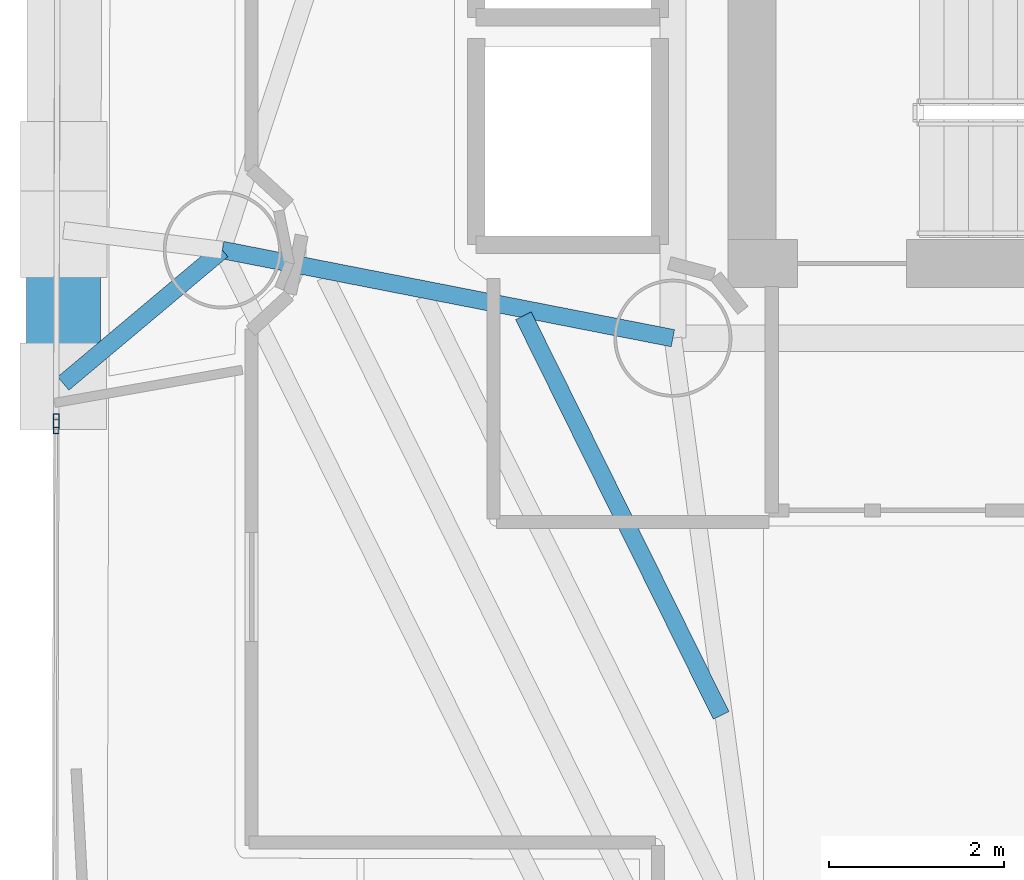
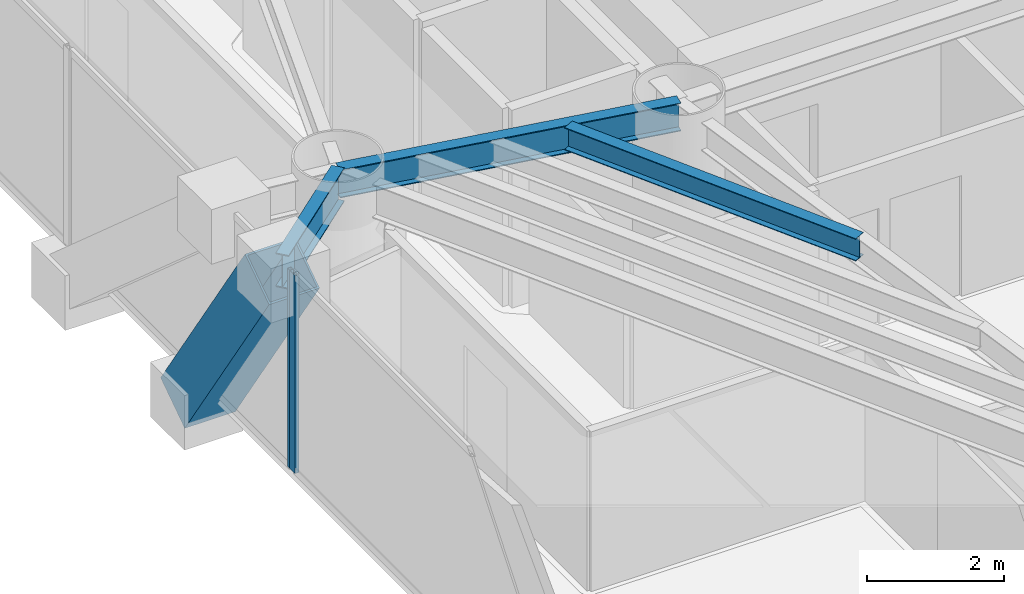
# One storey, part 5 of 23: 3 beams, 3 members, 2 elements without a shape of their own.
"""IFC4 building model written with IfcOpenShell, lengths in metres."""

import ifcopenshell
import ifcopenshell.guid

model = None  # the IFC model being written
_history = None  # IfcOwnerHistory: only IFC2X3 demands one
_inside = {}  # id of a spatial element -> (the spatial element, [elements in it])
_under = {}  # id of a project, library or spatial element -> (it, [spatial elements below it])
_declared = {}  # id of a project -> (the project, [libraries it declares])
_typed = {}  # id of a type object -> (the type object, [elements of that type])
_made_of = {}  # id of a material, layer set ... -> (it, [elements and type objects made of it])


def new_model(schema):
    """Start an empty IFC model of exactly this schema.

    Asked for "IFC4X3", IfcOpenShell would pick the latest addendum, in which some entities
    have other attributes; the version numbers below select the first issue.
    IFC2X3 requires an IfcOwnerHistory on every rooted entity: one is made here for all.
    """
    global model, _history
    if schema == "IFC4X3":
        model = ifcopenshell.file(schema_version=(4, 3, 0, 0))
    else:
        model = ifcopenshell.file(schema=schema)
    _inside.clear()
    _under.clear()
    _declared.clear()
    _typed.clear()
    _made_of.clear()
    _history = None
    if model.schema == "IFC2X3":
        org = make("IfcOrganization", Name="unknown")
        user = make(
            "IfcPersonAndOrganization",
            ThePerson=make("IfcPerson", FamilyName="unknown"),
            TheOrganization=org,
        )
        app = make(
            "IfcApplication",
            ApplicationDeveloper=org,
            Version="unknown",
            ApplicationFullName="unknown",
            ApplicationIdentifier="unknown",
        )
        _history = make(
            "IfcOwnerHistory",
            OwningUser=user,
            OwningApplication=app,
            ChangeAction="ADDED",
            CreationDate=0,
        )
    return model


def make(cls, **values):
    """One entity of the class cls with the attributes given. An attribute that is None is left unset."""
    return model.create_entity(
        cls, **{name: value for name, value in values.items() if value is not None}
    )


def rooted(cls, **values):
    """An entity with a GlobalId (a new one), such as an element, a storey or a relation."""
    return make(cls, GlobalId=ifcopenshell.guid.new(), OwnerHistory=_history, **values)


def si_unit(unit_type, name, prefix=None):
    """IfcSIUnit, for example si_unit("LENGTHUNIT", "METRE", prefix="MILLI")."""
    return make("IfcSIUnit", UnitType=unit_type, Prefix=prefix, Name=name)


def assignment(units):
    """IfcUnitAssignment: the units of a project."""
    return None if units is None else make("IfcUnitAssignment", Units=units)


def point(xyz):
    """IfcCartesianPoint."""
    return None if xyz is None else make("IfcCartesianPoint", Coordinates=xyz)


def direction(xyz):
    """IfcDirection."""
    return None if xyz is None else make("IfcDirection", DirectionRatios=xyz)


def frame(location, z_axis=None, x_axis=None):
    """IfcAxis2Placement3D, a coordinate frame: its origin and axes. An axis left out is left unset."""
    return make(
        "IfcAxis2Placement3D",
        Location=point(location),
        Axis=direction(z_axis),
        RefDirection=direction(x_axis),
    )


def frame_2d(location, x_axis=None):
    """IfcAxis2Placement2D, a coordinate frame in the plane: its origin and x axis."""
    return make(
        "IfcAxis2Placement2D", Location=point(location), RefDirection=direction(x_axis)
    )


def origin():
    """The frame at (0, 0, 0) with its axes left unset."""
    return frame((0.0, 0.0, 0.0))


def origin_2d():
    """The frame at (0, 0) in the plane with its x axis left unset."""
    return frame_2d((0.0, 0.0))


def place(relative_to, where):
    """IfcLocalPlacement: puts the frame where relative to a parent placement (None: the world)."""
    return make(
        "IfcLocalPlacement", PlacementRelTo=relative_to, RelativePlacement=where
    )


def context(
    kind, dimensions, precision=None, world=None, true_north=None, identifier=None
):
    """IfcGeometricRepresentationContext, for example the 3D "Model" context."""
    return make(
        "IfcGeometricRepresentationContext",
        ContextIdentifier=identifier,
        ContextType=kind,
        CoordinateSpaceDimension=dimensions,
        Precision=precision,
        WorldCoordinateSystem=world,
        TrueNorth=true_north,
    )


def subcontext(parent, identifier, kind, view, scale=None):
    """IfcGeometricRepresentationSubContext, for example "Body" below "Model"."""
    return make(
        "IfcGeometricRepresentationSubContext",
        ContextIdentifier=identifier,
        ContextType=kind,
        ParentContext=parent,
        TargetScale=scale,
        TargetView=view,
    )


def project(units=None, contexts=None):
    """IfcProject with its units and contexts."""
    return rooted(
        "IfcProject",
        Name="project",
        RepresentationContexts=contexts,
        UnitsInContext=assignment(units),
    )


def spatial(cls, under=None, at=None, **own):
    """A site, building, storey or space (cls), placed at a placement, below another one or the project."""
    s = rooted(cls, ObjectPlacement=at, **own)
    if under is not None:
        _under.setdefault(under.id(), (under, []))[1].append(s)
    return s


def profile(cls, at=None, kind="AREA", **sizes):
    """A parametric profile (cls). Its sizes go by their IFC names, for example OverallWidth=200.0."""
    return make(cls, ProfileType=kind, Position=at, **sizes)


def hollow_rectangle(**sizes):
    """IfcRectangleHollowProfileDef."""
    return profile("IfcRectangleHollowProfileDef", **sizes)


def i_section(**sizes):
    """IfcIShapeProfileDef."""
    return profile("IfcIShapeProfileDef", **sizes)


def extrude(swept, where, along, depth):
    """IfcExtrudedAreaSolid: the profile swept, set in the frame where, extruded along a direction by depth."""
    return make(
        "IfcExtrudedAreaSolid",
        SweptArea=swept,
        Position=where,
        ExtrudedDirection=direction(along),
        Depth=depth,
    )


def shape(context_of_items, identifier, shape_type, items):
    """IfcShapeRepresentation: the items that make up one representation, for example the "Body"."""
    return make(
        "IfcShapeRepresentation",
        ContextOfItems=context_of_items,
        RepresentationIdentifier=identifier,
        RepresentationType=shape_type,
        Items=items,
    )


def material(Name=None, Category=None):
    """IfcMaterial."""
    return make("IfcMaterial", Name=Name, Category=Category)


def layer(
    of_material, thickness, ventilated=None, Name=None, Category=None, Priority=None
):
    """IfcMaterialLayer: one layer of a wall or slab, of a material (None: an air gap)."""
    return make(
        "IfcMaterialLayer",
        Material=of_material,
        LayerThickness=thickness,
        IsVentilated=ventilated,
        Name=Name,
        Category=Category,
        Priority=Priority,
    )


def layer_set(layers, Name=None):
    """IfcMaterialLayerSet."""
    return make("IfcMaterialLayerSet", MaterialLayers=layers, LayerSetName=Name)


def material_profile(
    of_material, cross_section, Name=None, Category=None, Priority=None
):
    """IfcMaterialProfile: a cross section and its material."""
    return make(
        "IfcMaterialProfile",
        Name=Name,
        Material=of_material,
        Profile=cross_section,
        Priority=Priority,
        Category=Category,
    )


def profile_set(profiles, Name=None, composite=None):
    """IfcMaterialProfileSet."""
    return make(
        "IfcMaterialProfileSet",
        Name=Name,
        MaterialProfiles=profiles,
        CompositeProfile=composite,
    )


def made_of(thing, what):
    """Note that an element or type object is made of a material, layer set ...; save() writes the relation."""
    if what is not None:
        _made_of.setdefault(what.id(), (what, []))[1].append(thing)
    return thing


def type_object(cls, material=None, **own):
    """A type object (cls), such as IfcWallType, which elements share."""
    return made_of(rooted(cls, **own), material)


def element(
    cls,
    number,
    at=None,
    inside=None,
    cuts=None,
    type_object=None,
    material=None,
    context=None,
    identifier="Body",
    shape_type=None,
    held_by="IfcProductDefinitionShape",
    body=None,
    shapes=None,
    **own,
):
    """One element of the class cls, such as IfcWall. Its Tag is "e" and its number.

    at: its placement. inside: the storey or other place that contains it. cuts: it is an
    opening in that element (IfcRelVoidsElement). A single representation is given by context,
    identifier, shape_type and body (its items); several are given by shapes. held_by: the class
    of the entity that holds the representations. save() writes the other relations.
    """
    e = rooted(cls, Tag="e%d" % number, ObjectPlacement=at, **own)
    if body is not None:
        shapes = [shape(context, identifier, shape_type, body)]
    if shapes is not None:
        e.Representation = make(held_by, Representations=shapes)
    if inside is not None:
        _inside.setdefault(inside.id(), (inside, []))[1].append(e)
    if cuts is not None:
        rooted(
            "IfcRelVoidsElement", RelatingBuildingElement=cuts, RelatedOpeningElement=e
        )
    if type_object is not None:
        _typed.setdefault(type_object.id(), (type_object, []))[1].append(e)
    return made_of(e, material)


def aggregate(whole, parts):
    """IfcRelAggregates: a whole, such as a stair, and the parts it consists of."""
    return rooted("IfcRelAggregates", RelatingObject=whole, RelatedObjects=parts)


def save(model, path):
    """Write the relations noted so far, then the file.

    IfcRelAggregates (storeys below a building ...), IfcRelContainedInSpatialStructure (elements
    in a storey), IfcRelDefinesByType, IfcRelAssociatesMaterial and IfcRelDeclares: one each for
    every whole, place, type object, material and project.
    """
    for whole, parts in _under.values():
        aggregate(whole, parts)
    for where, things in _inside.values():
        rooted(
            "IfcRelContainedInSpatialStructure",
            RelatedElements=things,
            RelatingStructure=where,
        )
    for kind, things in _typed.values():
        rooted("IfcRelDefinesByType", RelatedObjects=things, RelatingType=kind)
    for what, things in _made_of.values():
        rooted("IfcRelAssociatesMaterial", RelatedObjects=things, RelatingMaterial=what)
    for by, libraries in _declared.values():
        rooted("IfcRelDeclares", RelatingContext=by, RelatedDefinitions=libraries)
    model.write(path)


model = new_model("IFC4")

# Units and contexts
model_context = context("Model", 3, precision=1e-05, world=origin(), true_north=direction((0.0, 1.0)))
body_context = subcontext(model_context, "Body", "Model", "MODEL_VIEW")
ifc_project = project(units=[si_unit("LENGTHUNIT", "METRE"), si_unit("AREAUNIT", "SQUARE_METRE"), si_unit("VOLUMEUNIT", "CUBIC_METRE"), si_unit("PLANEANGLEUNIT", "RADIAN"), si_unit("MASSUNIT", "GRAM", prefix="KILO")], contexts=[model_context])

# Site, building, storey
site_placement = place(None, origin())
site = spatial("IfcSite", under=ifc_project, at=site_placement, CompositionType="ELEMENT")
building_placement = place(site_placement, origin())
building = spatial("IfcBuilding", under=site, at=building_placement, Name="Qianvela Tower", CompositionType="ELEMENT")
storey_placement = place(building_placement, frame((0.0, 0.0, 147.60009765625)))
storey = spatial("IfcBuildingStorey", under=building, at=storey_placement, Name="L37", CompositionType="ELEMENT", Elevation=147.60009765625)

# Beams
ifc_material_1 = material(Name="Steel Q355B", Category="steel")
ifc_material_profile_1 = material_profile(ifc_material_1, i_section(OverallWidth=0.199951171875, OverallDepth=0.39990234375, WebThickness=0.008056640625, FlangeThickness=0.012939453125, at=origin_2d()), Name="HN400x200x8x13")
ifc_profile_set_1 = profile_set([ifc_material_profile_1], Name="Steel Q355B")
beam_type_1 = type_object("IfcBeamType", Name="BM-HN400-JOIST", PredefinedType="JOIST", material=ifc_profile_set_1)
beam_1_placement = place(storey_placement, frame((26.89013671875, 24.10693359375, 3.31787109375), z_axis=(0.443417880161, -0.896315002415, 0.0), x_axis=(0.896315002415, 0.443417880161, 0.0)))
element("IfcBeam", 1, at=beam_1_placement, inside=storey, type_object=beam_type_1, Name="L37 Secondary Composite Floor Joist 4.1", PredefinedType="JOIST", context=body_context, shape_type="SweptSolid", body=[
    extrude(i_section(OverallWidth=0.199951171875, OverallDepth=0.39990234375, WebThickness=0.008056640625, FlangeThickness=0.012939453125, at=origin_2d()), origin(), (0.0, 0.0, 1.0), 5.099609375),
])
ifc_material_2 = material(Name="Steel Q355B", Category="steel")
ifc_material_profile_2 = material_profile(ifc_material_2, i_section(OverallWidth=0.199951171875, OverallDepth=0.5, WebThickness=0.010009765625, FlangeThickness=0.01611328125, at=origin_2d()), Name="HN500x200x10x16")
ifc_profile_set_2 = profile_set([ifc_material_profile_2], Name="Steel Q355B")
beam_type_2 = type_object("IfcBeamType", Name="BM-HN500-GIRD", PredefinedType="BEAM", material=ifc_profile_set_2)
beam_2_placement = place(storey_placement, frame((28.60009765625, 23.85009765625, 3.267822265625), z_axis=(-0.98137875074, 0.192082658238, 0.0), x_axis=(-0.192082658238, -0.98137875074, 0.0)))
element("IfcBeam", 2, at=beam_2_placement, inside=storey, type_object=beam_type_2, Name="L37 Radial Primary Floor Girder 4", PredefinedType="BEAM", context=body_context, shape_type="SweptSolid", body=[
    extrude(i_section(OverallWidth=0.199951171875, OverallDepth=0.5, WebThickness=0.010009765625, FlangeThickness=0.01611328125, at=origin_2d()), origin(), (0.0, 0.0, 1.0), 5.251953125),
])
ifc_material_3 = material(Name="Steel Q355B", Category="steel")
ifc_material_profile_3 = material_profile(ifc_material_3, i_section(OverallWidth=0.199951171875, OverallDepth=0.60009765625, WebThickness=0.010986328125, FlangeThickness=0.01708984375, at=origin_2d()), Name="HN600x200x11x17")
ifc_profile_set_3 = profile_set([ifc_material_profile_3], Name="Steel Q355B")
beam_type_3 = type_object("IfcBeamType", Name="BM-HN600-GIRD", PredefinedType="BEAM", material=ifc_profile_set_3)
beam_3_placement = place(storey_placement, frame((23.446044921875, 24.85888671875, 3.218017578125), z_axis=(-0.765721067083, -0.643172797485, 0.0), x_axis=(0.643172797485, -0.765721067083, 0.0)))
element("IfcBeam", 3, at=beam_3_placement, inside=storey, type_object=beam_type_3, Name="L37 Mega-Brace Column Tie Bracket F2-2", PredefinedType="BEAM", context=body_context, shape_type="SweptSolid", body=[
    extrude(i_section(OverallWidth=0.199951171875, OverallDepth=0.60009765625, WebThickness=0.010986328125, FlangeThickness=0.01708984375, at=origin_2d()), origin(), (0.0, 0.0, 1.0), 2.374755859375),
])

# Curtain wall, member
ifc_material_4 = material(Name="Anodised Architectural Aluminium and Insulated Spandrel Panel", Category="aluminium")
ifc_layer_1 = layer(ifc_material_4, 0.179931640625)
ifc_layer_set_1 = layer_set([ifc_layer_1], Name="Anodised Architectural Aluminium and Insulated Spandrel Panel")
curtain_wall_type_1 = type_object("IfcCurtainWallType", Name="CW-BRACEBAY", PredefinedType="USERDEFINED", material=ifc_layer_set_1)
curtain_wall_1_placement = place(storey_placement, origin())
curtain_wall_1 = element("IfcCurtainWall", 4, at=curtain_wall_1_placement, inside=storey, type_object=curtain_wall_type_1, Name="L37 CW-BRACEBAY Curtain Wall 04B", ObjectType="CURTAIN_WALL_SYSTEM", PredefinedType="USERDEFINED")
ifc_material_5 = material(Name="Anodised Architectural Aluminium 6063-T6", Category="aluminium")
ifc_material_profile_4 = material_profile(ifc_material_5, hollow_rectangle(XDim=0.06494140625, YDim=0.159912109375, WallThickness=0.0048828125, at=origin_2d()), Name="ALU-MULL-65x160")
ifc_profile_set_4 = profile_set([ifc_material_profile_4], Name="Anodised Architectural Aluminium 6063-T6")
member_type_1 = type_object("IfcMemberType", Name="CW-BRACEBAY-MULL", PredefinedType="MULLION", material=ifc_profile_set_4)
member_1_placement = place(storey_placement, frame((21.54638671875, 22.90478515625, 0.0), z_axis=(0.0, 0.0, 1.0), x_axis=(0.999996066233, -0.002804909779, 0.0)))
member_1 = element("IfcMember", 5, at=member_1_placement, type_object=member_type_1, Name="CW-9 mullion 2", PredefinedType="MULLION", context=body_context, shape_type="SweptSolid", body=[
    extrude(hollow_rectangle(XDim=0.06494140625, YDim=0.159912109375, WallThickness=0.0048828125, at=origin_2d()), origin(), (0.0, 0.0, 1.0), 3.52001953125),
])
aggregate(curtain_wall_1, [member_1])

ifc_material_6 = material(Name="Anodised Architectural Aluminium and Low-E Glass", Category="aluminium")
ifc_layer_2 = layer(ifc_material_6, 0.169921875)
ifc_layer_set_2 = layer_set([ifc_layer_2], Name="Anodised Architectural Aluminium and Low-E Glass")
curtain_wall_type_2 = type_object("IfcCurtainWallType", Name="CW-COLIV-Z34", PredefinedType="USERDEFINED", material=ifc_layer_set_2)
curtain_wall_2_placement = place(storey_placement, origin())
curtain_wall_2 = element("IfcCurtainWall", 6, at=curtain_wall_2_placement, inside=storey, type_object=curtain_wall_type_2, Name="L37 CW-COLIV-Z34 Curtain Wall 04C", ObjectType="CURTAIN_WALL_SYSTEM", PredefinedType="USERDEFINED")
ifc_material_7 = material(Name="Anodised Architectural Aluminium 6063-T6", Category="aluminium")
ifc_material_profile_5 = material_profile(ifc_material_7, hollow_rectangle(XDim=0.06494140625, YDim=0.159912109375, WallThickness=0.0048828125, at=origin_2d()), Name="ALU-MULL-65x160")
ifc_profile_set_5 = profile_set([ifc_material_profile_5], Name="Anodised Architectural Aluminium 6063-T6")
member_type_2 = type_object("IfcMemberType", Name="CW-COLIV-Z34-MULL", PredefinedType="MULLION", material=ifc_profile_set_5)
member_2_placement = place(storey_placement, frame((21.546142578125, 22.83984375, 0.0), z_axis=(0.0, 0.0, 1.0), x_axis=(0.999996104491, -0.002791236644, 0.0)))
member_2 = element("IfcMember", 7, at=member_2_placement, type_object=member_type_2, Name="CW-4 mullion 1", PredefinedType="MULLION", context=body_context, shape_type="SweptSolid", body=[
    extrude(hollow_rectangle(XDim=0.06494140625, YDim=0.159912109375, WallThickness=0.0048828125, at=origin_2d()), origin(), (0.0, 0.0, 1.0), 3.52001953125),
])
aggregate(curtain_wall_2, [member_2])

# Member
ifc_material_8 = material(Name="Steel Q420GJC", Category="steel")
ifc_material_profile_6 = material_profile(ifc_material_8, hollow_rectangle(XDim=0.85009765625, YDim=0.85009765625, WallThickness=0.031982421875, at=origin_2d()), Name="MBOX-850x850x32")
ifc_profile_set_6 = profile_set([ifc_material_profile_6], Name="Steel Q420GJC")
member_type_3 = type_object("IfcMemberType", Name="MBR-MBRACE-850", PredefinedType="BRACE", material=ifc_profile_set_6)
member_3_placement = place(storey_placement, frame((21.634521484375, 25.802001953125, -0.482177734375), z_axis=(-0.001536469925, -0.555269255999, 0.831669220666), x_axis=(0.999996171679, -0.002767061252, 0.0)))
element("IfcMember", 8, at=member_3_placement, inside=storey, type_object=member_type_3, Name="L37 Tier 6 Exterior Mega-Brace F2B", PredefinedType="BRACE", context=body_context, shape_type="SweptSolid", body=[
    extrude(hollow_rectangle(XDim=0.85009765625, YDim=0.85009765625, WallThickness=0.031982421875, at=origin_2d()), origin(), (0.0, 0.0, 1.0), 4.44921875),
])

save(model, "model.ifc")
